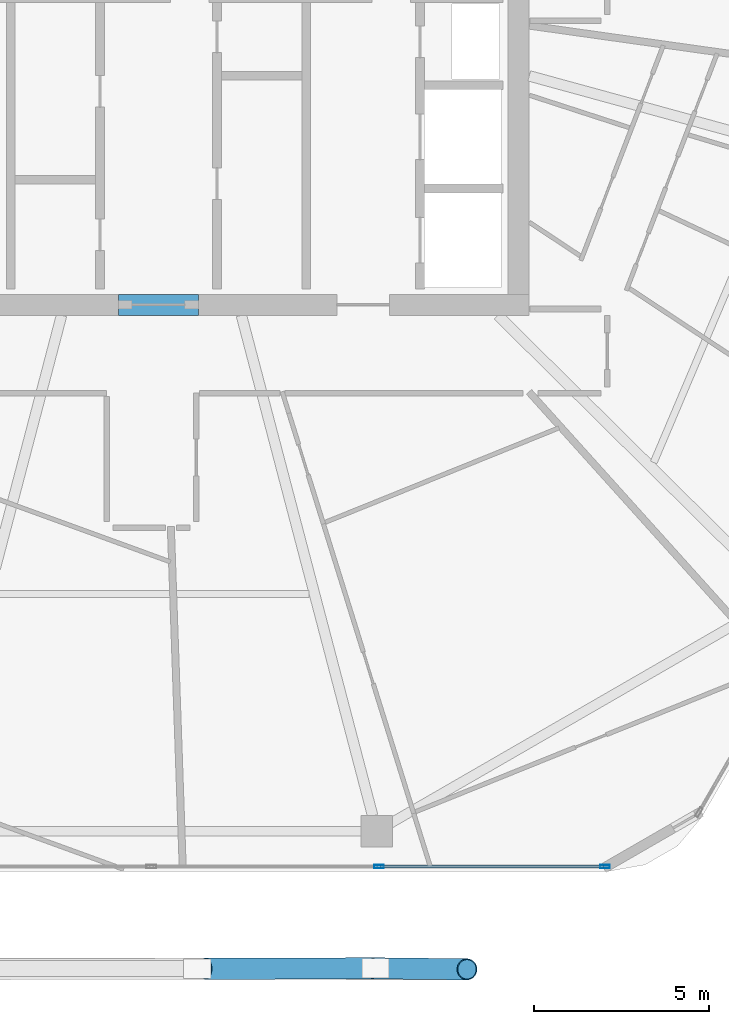
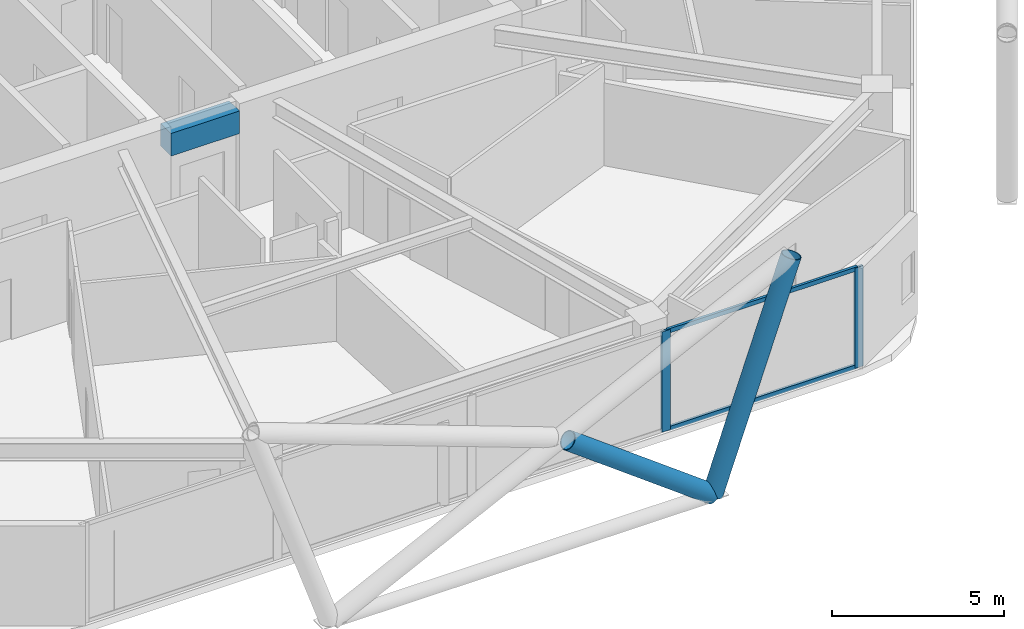
# One storey, part 7 of 27: 6 members, 1 beam, 1 element without a shape of its own.
"""IFC4 building model written with IfcOpenShell, lengths in metres."""

from ifc_helpers import new_model, si_unit, direction, frame, origin, origin_2d, place, context, subcontext, project, spatial, rectangle, hollow_rectangle, hollow_circle, extrude, material, material_profile, profile_set, type_object, element, aggregate, save


model = new_model("IFC4")

# Units and contexts
model_context = context("Model", 3, precision=1e-05, world=origin(), true_north=direction((0.0, 1.0)))
body_context = subcontext(model_context, "Body", "Model", "MODEL_VIEW")
ifc_project = project(units=[si_unit("LENGTHUNIT", "METRE"), si_unit("AREAUNIT", "SQUARE_METRE"), si_unit("VOLUMEUNIT", "CUBIC_METRE"), si_unit("PLANEANGLEUNIT", "RADIAN"), si_unit("MASSUNIT", "GRAM", prefix="KILO")], contexts=[model_context])

# Site, building, storey
site_placement = place(None, origin())
site = spatial("IfcSite", under=ifc_project, at=site_placement, CompositionType="ELEMENT")
building_placement = place(site_placement, origin())
building = spatial("IfcBuilding", under=site, at=building_placement, Name="Zuhravey Tower", CompositionType="ELEMENT")
storey_placement = place(building_placement, frame((0.0, 0.0, 238.800048828125)))
storey = spatial("IfcBuildingStorey", under=building, at=storey_placement, Name="L60", CompositionType="ELEMENT", Elevation=238.800048828125)

# Beam
ifc_material_1 = material(Name="Concrete C50/60", Category="concrete")
ifc_material_profile_1 = material_profile(ifc_material_1, rectangle(XDim=0.60009765625, YDim=0.800048828125, at=origin_2d()), Name="RC-600x800")
ifc_profile_set_1 = profile_set([ifc_material_profile_1], Name="Concrete C50/60")
beam_type = type_object("IfcBeamType", Name="Core Coupling Beam RC600x800", PredefinedType="LINTEL", material=ifc_profile_set_1)
beam_placement = place(storey_placement, frame((35.052001953125, 22.5, 3.14990234375), z_axis=(1.0, 0.0, 0.0), x_axis=(0.0, 1.0, 0.0)))
element("IfcBeam", 1, at=beam_placement, inside=storey, type_object=beam_type, Name="L60 CB2 BM-L60-CB-S", PredefinedType="LINTEL", context=body_context, shape_type="SweptSolid", body=[
    extrude(rectangle(XDim=0.60009765625, YDim=0.800048828125, at=origin_2d()), origin(), (0.0, 0.0, 1.0), 2.2958984375),
])

# Curtain wall, members
ifc_material_2 = material(Name="Thermally broken anodised aluminium", Category="aluminium")
curtain_wall_type = type_object("IfcCurtainWallType", Name="Zone 3-4 High-Rise Curtain Wall CW4", PredefinedType="NOTDEFINED", material=ifc_material_2)
curtain_wall_placement = place(storey_placement, origin())
curtain_wall = element("IfcCurtainWall", 2, at=curtain_wall_placement, inside=storey, type_object=curtain_wall_type, Name="L60 CW4 CW-L60-F5-1", PredefinedType="NOTDEFINED")
ifc_material_3 = material(Name="Anodised aluminium", Category="aluminium")
ifc_material_profile_2 = material_profile(ifc_material_3, hollow_rectangle(XDim=0.090087890625, YDim=0.284912109375, WallThickness=0.0048828125, at=origin_2d()), Name="ALU-RHS-90x285x5")
ifc_profile_set_2 = profile_set([ifc_material_profile_2], Name="Anodised aluminium")
member_type_1 = type_object("IfcMemberType", Name="Curtain-Wall Mullion 90x180", PredefinedType="MULLION", material=ifc_profile_set_2)
member_1_placement = place(storey_placement, frame((48.9677734375, 6.436279296875, 0.0), z_axis=(0.0, 0.0, 1.0), x_axis=(0.0, -1.0, 0.0)))
member_1 = element("IfcMember", 3, at=member_1_placement, type_object=member_type_1, Name="CW4 mullion 1", PredefinedType="MULLION", context=body_context, shape_type="SweptSolid", body=[
    extrude(hollow_rectangle(XDim=0.090087890625, YDim=0.284912109375, WallThickness=0.0048828125, at=origin_2d()), origin(), (0.0, 0.0, 1.0), 3.550048828125),
])
member_2_placement = place(storey_placement, frame((42.50634765625, 6.436279296875, 0.0), z_axis=(0.0, 0.0, 1.0), x_axis=(0.0, -1.0, 0.0)))
member_2 = element("IfcMember", 4, at=member_2_placement, type_object=member_type_1, Name="CW4 mullion 2", PredefinedType="MULLION", context=body_context, shape_type="SweptSolid", body=[
    extrude(hollow_rectangle(XDim=0.090087890625, YDim=0.284912109375, WallThickness=0.0048828125, at=origin_2d()), origin(), (0.0, 0.0, 1.0), 3.550048828125),
])
ifc_material_profile_3 = material_profile(ifc_material_3, hollow_rectangle(XDim=0.090087890625, YDim=0.14990234375, WallThickness=0.0048828125, at=origin_2d()), Name="ALU-RHS-90x150x5")
ifc_profile_set_3 = profile_set([ifc_material_profile_3], Name="Anodised aluminium")
member_type_2 = type_object("IfcMemberType", Name="Curtain-Wall Transom 90x150", PredefinedType="USERDEFINED", material=ifc_profile_set_3)
member_3_placement = place(storey_placement, frame((48.922607421875, 6.436279296875, 0.044921875), z_axis=(-1.0, 0.0, 0.0), x_axis=(0.0, -1.0, 0.0)))
member_3 = element("IfcMember", 5, at=member_3_placement, type_object=member_type_2, Name="CW4 transom 1.1", ObjectType="TRANSOM", PredefinedType="USERDEFINED", context=body_context, shape_type="SweptSolid", body=[
    extrude(hollow_rectangle(XDim=0.090087890625, YDim=0.14990234375, WallThickness=0.0048828125, at=origin_2d()), origin(), (0.0, 0.0, 1.0), 6.371337890625),
])
member_4_placement = place(storey_placement, frame((48.922607421875, 6.436279296875, 3.5048828125), z_axis=(-1.0, 0.0, 0.0), x_axis=(0.0, -1.0, 0.0)))
member_4 = element("IfcMember", 6, at=member_4_placement, type_object=member_type_2, Name="CW4 transom 1.2", ObjectType="TRANSOM", PredefinedType="USERDEFINED", context=body_context, shape_type="SweptSolid", body=[
    extrude(hollow_rectangle(XDim=0.090087890625, YDim=0.14990234375, WallThickness=0.0048828125, at=origin_2d()), origin(), (0.0, 0.0, 1.0), 6.371337890625),
])
aggregate(curtain_wall, [member_1, member_2, member_3, member_4])

# Members
ifc_material_4 = material(Name="Steel SM355", Category="steel")
ifc_material_profile_4 = material_profile(ifc_material_4, hollow_circle(Radius=0.3046875, WallThickness=0.028076171875, at=origin_2d()), Name="CHS-609.6x28")
ifc_profile_set_4 = profile_set([ifc_material_profile_4], Name="Steel SM355")
member_type_3 = type_object("IfcMemberType", Name="Exoskeleton Zone 3 Diagrid CHS610x28", PredefinedType="BRACE", material=ifc_profile_set_4)
member_5_placement = place(storey_placement, frame((42.413818359375, 3.5263671875, -0.446044921875), z_axis=(0.326058009418, -0.003722541376, 0.94534243382), x_axis=(0.011416063057, 0.999934834629, 0.0)))
element("IfcMember", 7, at=member_5_placement, inside=storey, type_object=member_type_3, Name="L60 Face 5 Diagrid Brace 4", PredefinedType="BRACE", context=body_context, shape_type="SweptSolid", body=[
    extrude(hollow_circle(Radius=0.3046875, WallThickness=0.028076171875, at=origin_2d()), origin(), (0.0, 0.0, 1.0), 8.001220703125),
])
member_6_placement = place(storey_placement, frame((42.375, 3.5263671875, -0.439697265625), z_axis=(-0.801711857195, -0.002351417837, 0.597706089033), x_axis=(0.002932983592, -0.999995698794, 0.0)))
element("IfcMember", 8, at=member_6_placement, inside=storey, type_object=member_type_3, Name="L60 Face 5 Split Diagrid Brace 3A", PredefinedType="BRACE", context=body_context, shape_type="SweptSolid", body=[
    extrude(hollow_circle(Radius=0.3046875, WallThickness=0.028076171875, at=origin_2d()), origin(), (0.0, 0.0, 1.0), 6.02197265625),
])

save(model, "model.ifc")
